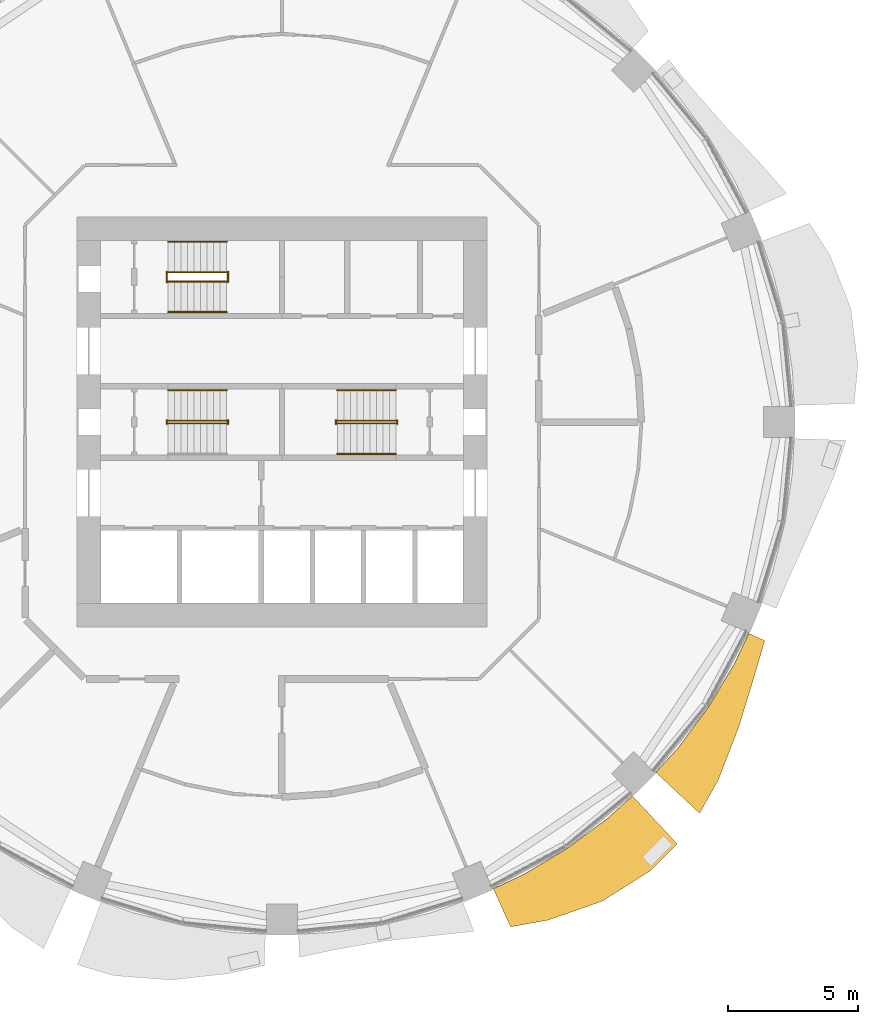
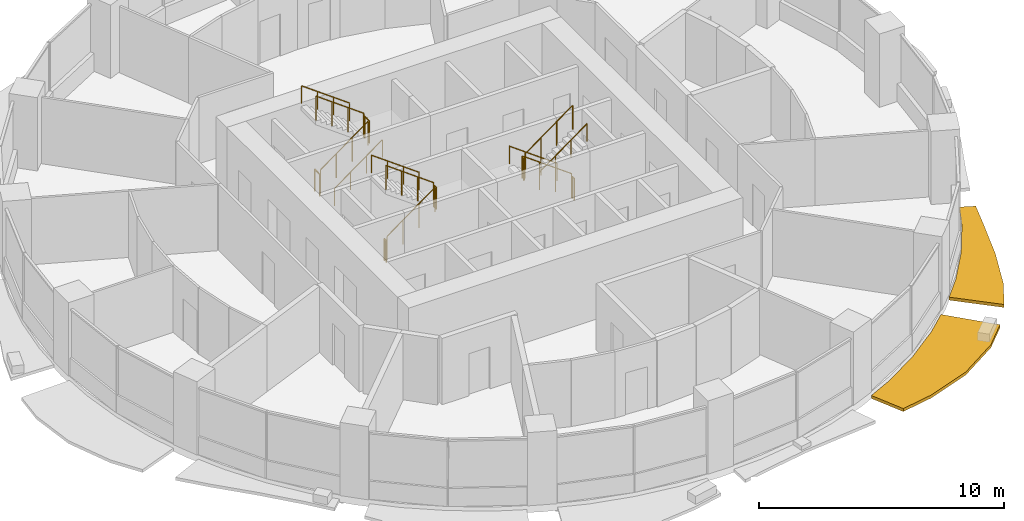
# One storey, part 13 of 15: 17 railings, 2 shading devices.
"""IFC4 building model written with IfcOpenShell, lengths in metres."""

from ifc_helpers import new_model, si_unit, direction, frame, origin, origin_2d, place, context, subcontext, project, spatial, polyline, circle, outline, extrude, material, type_object, element, save


model = new_model("IFC4")

# Units and contexts
model_context = context("Model", 3, precision=1e-05, world=origin(), true_north=direction((0.0, 1.0)))
body_context = subcontext(model_context, "Body", "Model", "MODEL_VIEW")
ifc_project = project(units=[si_unit("LENGTHUNIT", "METRE"), si_unit("AREAUNIT", "SQUARE_METRE"), si_unit("VOLUMEUNIT", "CUBIC_METRE"), si_unit("PLANEANGLEUNIT", "RADIAN"), si_unit("MASSUNIT", "GRAM", prefix="KILO")], contexts=[model_context])

# Site, building, storey
site_placement = place(None, origin())
site = spatial("IfcSite", under=ifc_project, at=site_placement, CompositionType="ELEMENT")
building_placement = place(site_placement, origin())
building = spatial("IfcBuilding", under=site, at=building_placement, Name="Polderwave Tower", CompositionType="ELEMENT")
storey_placement = place(building_placement, frame((0.0, 0.0, 44.449951171875)))
storey = spatial("IfcBuildingStorey", under=building, at=storey_placement, Name="L11", CompositionType="ELEMENT", Elevation=44.449951171875)

# Railings
ifc_material_1 = material(Name="Stainless steel", Category="steel")
railing_type_1 = type_object("IfcRailingType", Name="Stair guard 1100", PredefinedType="GUARDRAIL", material=ifc_material_1)
railing_1_placement = place(storey_placement, frame((-4.3740234375, -0.051025390625, 0.0625)))
element("IfcRailing", 1, at=railing_1_placement, inside=storey, type_object=railing_type_1, Name="L11 ST-A stair guard 1", PredefinedType="GUARDRAIL", context=body_context, shape_type="SweptSolid", body=[
    extrude(circle(Radius=0.02392578125, at=origin_2d()), frame((0.0, 0.0, 1.1962890625), z_axis=(0.807715371301, 0.0, 0.589572623995), x_axis=(0.0, 1.0, 0.0)), (0.0, 0.0, 1.0), 2.78564453125),
    extrude(circle(Radius=0.02392578125, at=origin_2d()), origin(), (0.0, 0.0, 1.0), 1.172119140625),
    extrude(circle(Radius=0.02392578125, at=origin_2d()), frame((0.75, 0.0, 0.54736328125)), (0.0, 0.0, 1.0), 1.172119140625),
    extrude(circle(Radius=0.02392578125, at=origin_2d()), frame((1.5, 0.0, 1.094970703125)), (0.0, 0.0, 1.0), 1.172119140625),
    extrude(circle(Radius=0.02392578125, at=origin_2d()), frame((2.25, 0.0, 1.642333984375)), (0.0, 0.0, 1.0), 1.172119140625),
])
railing_2_placement = place(storey_placement, frame((-2.073974609375, -0.074951171875, 1.824951171875)))
element("IfcRailing", 2, at=railing_2_placement, inside=storey, type_object=railing_type_1, Name="L11 ST-A stair guard 2", PredefinedType="GUARDRAIL", context=body_context, shape_type="SweptSolid", body=[
    extrude(circle(Radius=0.02392578125, at=origin_2d()), frame((0.0, 0.0, 1.076171875), z_axis=(0.0, 1.0, 0.0), x_axis=(-1.0, 0.0, 0.0)), (0.0, 0.0, 1.0), 0.14990234375),
    extrude(circle(Radius=0.02099609375, at=origin_2d()), origin(), (0.0, 0.0, 1.0), 1.052001953125),
    extrude(circle(Radius=0.02099609375, at=origin_2d()), frame((0.0, 0.14990234375, 0.0)), (0.0, 0.0, 1.0), 1.052001953125),
])
railing_3_placement = place(storey_placement, frame((-2.1240234375, 0.051025390625, 1.887451171875)))
element("IfcRailing", 3, at=railing_3_placement, inside=storey, type_object=railing_type_1, Name="L11 ST-A stair guard 3", PredefinedType="GUARDRAIL", context=body_context, shape_type="SweptSolid", body=[
    extrude(circle(Radius=0.02392578125, at=origin_2d()), frame((0.0, 0.0, 1.1962890625), z_axis=(-0.807673635365, 0.0, 0.58962979804), x_axis=(0.0, -1.0, 0.0)), (0.0, 0.0, 1.0), 2.785888671875),
    extrude(circle(Radius=0.02392578125, at=origin_2d()), origin(), (0.0, 0.0, 1.0), 1.172119140625),
    extrude(circle(Radius=0.02392578125, at=origin_2d()), frame((-0.75, 0.0, 0.547607421875)), (0.0, 0.0, 1.0), 1.172119140625),
    extrude(circle(Radius=0.02392578125, at=origin_2d()), frame((-1.5, 0.0, 1.094970703125)), (0.0, 0.0, 1.0), 1.172119140625),
    extrude(circle(Radius=0.02392578125, at=origin_2d()), frame((-2.25, 0.0, 1.642578125)), (0.0, 0.0, 1.0), 1.172119140625),
])
railing_4_placement = place(storey_placement, frame((-4.424072265625, -0.074951171875, 0.0)))
element("IfcRailing", 4, at=railing_4_placement, inside=storey, type_object=railing_type_1, Name="L11 ST-A stair guard 4", PredefinedType="GUARDRAIL", context=body_context, shape_type="SweptSolid", body=[
    extrude(circle(Radius=0.02392578125, at=origin_2d()), frame((0.0, 0.0, 1.076171875), z_axis=(0.0, 1.0, 0.0), x_axis=(-1.0, 0.0, 0.0)), (0.0, 0.0, 1.0), 0.14990234375),
    extrude(circle(Radius=0.02099609375, at=origin_2d()), origin(), (0.0, 0.0, 1.0), 1.052001953125),
    extrude(circle(Radius=0.02099609375, at=origin_2d()), frame((0.0, 0.14990234375, 0.0)), (0.0, 0.0, 1.0), 1.052001953125),
])
railing_5_placement = place(storey_placement, frame((4.3740234375, 0.051025390625, 0.0625)))
element("IfcRailing", 5, at=railing_5_placement, inside=storey, type_object=railing_type_1, Name="L11 ST-B stair guard 1", PredefinedType="GUARDRAIL", context=body_context, shape_type="SweptSolid", body=[
    extrude(circle(Radius=0.02392578125, at=origin_2d()), frame((0.0, 0.0, 1.1962890625), z_axis=(-0.807715371301, 0.0, 0.589572623995), x_axis=(0.0, -1.0, 0.0)), (0.0, 0.0, 1.0), 2.78564453125),
    extrude(circle(Radius=0.02392578125, at=origin_2d()), origin(), (0.0, 0.0, 1.0), 1.172119140625),
    extrude(circle(Radius=0.02392578125, at=origin_2d()), frame((-0.75, 0.0, 0.54736328125)), (0.0, 0.0, 1.0), 1.172119140625),
    extrude(circle(Radius=0.02392578125, at=origin_2d()), frame((-1.5, 0.0, 1.094970703125)), (0.0, 0.0, 1.0), 1.172119140625),
    extrude(circle(Radius=0.02392578125, at=origin_2d()), frame((-2.25, 0.0, 1.642333984375)), (0.0, 0.0, 1.0), 1.172119140625),
])
railing_6_placement = place(storey_placement, frame((2.073974609375, 0.074951171875, 1.824951171875)))
element("IfcRailing", 6, at=railing_6_placement, inside=storey, type_object=railing_type_1, Name="L11 ST-B stair guard 2", PredefinedType="GUARDRAIL", context=body_context, shape_type="SweptSolid", body=[
    extrude(circle(Radius=0.02392578125, at=origin_2d()), frame((0.0, 0.0, 1.076171875), z_axis=(0.0, -1.0, 0.0), x_axis=(1.0, 0.0, 0.0)), (0.0, 0.0, 1.0), 0.14990234375),
    extrude(circle(Radius=0.02099609375, at=origin_2d()), origin(), (0.0, 0.0, 1.0), 1.052001953125),
    extrude(circle(Radius=0.02099609375, at=origin_2d()), frame((0.0, -0.14990234375, 0.0)), (0.0, 0.0, 1.0), 1.052001953125),
])
railing_7_placement = place(storey_placement, frame((2.1240234375, -0.051025390625, 1.887451171875)))
element("IfcRailing", 7, at=railing_7_placement, inside=storey, type_object=railing_type_1, Name="L11 ST-B stair guard 3", PredefinedType="GUARDRAIL", context=body_context, shape_type="SweptSolid", body=[
    extrude(circle(Radius=0.02392578125, at=origin_2d()), frame((0.0, 0.0, 1.1962890625), z_axis=(0.807673635365, 0.0, 0.58962979804), x_axis=(0.0, 1.0, 0.0)), (0.0, 0.0, 1.0), 2.785888671875),
    extrude(circle(Radius=0.02392578125, at=origin_2d()), origin(), (0.0, 0.0, 1.0), 1.172119140625),
    extrude(circle(Radius=0.02392578125, at=origin_2d()), frame((0.75, 0.0, 0.547607421875)), (0.0, 0.0, 1.0), 1.172119140625),
    extrude(circle(Radius=0.02392578125, at=origin_2d()), frame((1.5, 0.0, 1.094970703125)), (0.0, 0.0, 1.0), 1.172119140625),
    extrude(circle(Radius=0.02392578125, at=origin_2d()), frame((2.25, 0.0, 1.642578125)), (0.0, 0.0, 1.0), 1.172119140625),
])
railing_8_placement = place(storey_placement, frame((4.424072265625, 0.074951171875, 0.0)))
element("IfcRailing", 8, at=railing_8_placement, inside=storey, type_object=railing_type_1, Name="L11 ST-B stair guard 4", PredefinedType="GUARDRAIL", context=body_context, shape_type="SweptSolid", body=[
    extrude(circle(Radius=0.02392578125, at=origin_2d()), frame((0.0, 0.0, 1.076171875), z_axis=(0.0, -1.0, 0.0), x_axis=(1.0, 0.0, 0.0)), (0.0, 0.0, 1.0), 0.14990234375),
    extrude(circle(Radius=0.02099609375, at=origin_2d()), origin(), (0.0, 0.0, 1.0), 1.052001953125),
    extrude(circle(Radius=0.02099609375, at=origin_2d()), frame((0.0, -0.14990234375, 0.0)), (0.0, 0.0, 1.0), 1.052001953125),
])
railing_9_placement = place(storey_placement, frame((-4.3740234375, 5.39794921875, 0.0625)))
element("IfcRailing", 9, at=railing_9_placement, inside=storey, type_object=railing_type_1, Name="L11 ST-C stair guard 1", PredefinedType="GUARDRAIL", context=body_context, shape_type="SweptSolid", body=[
    extrude(circle(Radius=0.02392578125, at=origin_2d()), frame((0.0, 0.0, 1.1962890625), z_axis=(0.807715371301, 0.0, 0.589572623995), x_axis=(0.0, 1.0, 0.0)), (0.0, 0.0, 1.0), 2.78564453125),
    extrude(circle(Radius=0.02392578125, at=origin_2d()), origin(), (0.0, 0.0, 1.0), 1.172119140625),
    extrude(circle(Radius=0.02392578125, at=origin_2d()), frame((0.75, 0.0, 0.54736328125)), (0.0, 0.0, 1.0), 1.172119140625),
    extrude(circle(Radius=0.02392578125, at=origin_2d()), frame((1.5, 0.0, 1.094970703125)), (0.0, 0.0, 1.0), 1.172119140625),
    extrude(circle(Radius=0.02392578125, at=origin_2d()), frame((2.25, 0.0, 1.642333984375)), (0.0, 0.0, 1.0), 1.172119140625),
])
railing_10_placement = place(storey_placement, frame((-2.073974609375, 5.3740234375, 1.824951171875)))
element("IfcRailing", 10, at=railing_10_placement, inside=storey, type_object=railing_type_1, Name="L11 ST-C stair guard 2", PredefinedType="GUARDRAIL", context=body_context, shape_type="SweptSolid", body=[
    extrude(circle(Radius=0.02392578125, at=origin_2d()), frame((0.0, 0.0, 1.076171875), z_axis=(0.0, 1.0, 0.0), x_axis=(-1.0, 0.0, 0.0)), (0.0, 0.0, 1.0), 0.39990234375),
    extrude(circle(Radius=0.02099609375, at=origin_2d()), origin(), (0.0, 0.0, 1.0), 1.052001953125),
    extrude(circle(Radius=0.02099609375, at=origin_2d()), frame((0.0, 0.39990234375, 0.0)), (0.0, 0.0, 1.0), 1.052001953125),
])
railing_11_placement = place(storey_placement, frame((-2.1240234375, 5.75, 1.887451171875)))
element("IfcRailing", 11, at=railing_11_placement, inside=storey, type_object=railing_type_1, Name="L11 ST-C stair guard 3", PredefinedType="GUARDRAIL", context=body_context, shape_type="SweptSolid", body=[
    extrude(circle(Radius=0.02392578125, at=origin_2d()), frame((0.0, 0.0, 1.1962890625), z_axis=(-0.807673635365, 0.0, 0.58962979804), x_axis=(0.0, -1.0, 0.0)), (0.0, 0.0, 1.0), 2.785888671875),
    extrude(circle(Radius=0.02392578125, at=origin_2d()), origin(), (0.0, 0.0, 1.0), 1.172119140625),
    extrude(circle(Radius=0.02392578125, at=origin_2d()), frame((-0.75, 0.0, 0.547607421875)), (0.0, 0.0, 1.0), 1.172119140625),
    extrude(circle(Radius=0.02392578125, at=origin_2d()), frame((-1.5, 0.0, 1.094970703125)), (0.0, 0.0, 1.0), 1.172119140625),
    extrude(circle(Radius=0.02392578125, at=origin_2d()), frame((-2.25, 0.0, 1.642578125)), (0.0, 0.0, 1.0), 1.172119140625),
])
railing_12_placement = place(storey_placement, frame((-4.424072265625, 5.3740234375, 0.0)))
element("IfcRailing", 12, at=railing_12_placement, inside=storey, type_object=railing_type_1, Name="L11 ST-C stair guard 4", PredefinedType="GUARDRAIL", context=body_context, shape_type="SweptSolid", body=[
    extrude(circle(Radius=0.02392578125, at=origin_2d()), frame((0.0, 0.0, 1.076171875), z_axis=(0.0, 1.0, 0.0), x_axis=(-1.0, 0.0, 0.0)), (0.0, 0.0, 1.0), 0.39990234375),
    extrude(circle(Radius=0.02099609375, at=origin_2d()), origin(), (0.0, 0.0, 1.0), 1.052001953125),
    extrude(circle(Radius=0.02099609375, at=origin_2d()), frame((0.0, 0.39990234375, 0.0)), (0.0, 0.0, 1.0), 1.052001953125),
])
railing_type_2 = type_object("IfcRailingType", Name="Stair handrail 900", PredefinedType="HANDRAIL", material=ifc_material_1)
railing_13_placement = place(storey_placement, frame((-2.1240234375, 1.22509765625, 2.007568359375)))
element("IfcRailing", 13, at=railing_13_placement, inside=storey, type_object=railing_type_2, Name="L11 ST-A stair handrail 2", PredefinedType="HANDRAIL", context=body_context, shape_type="SweptSolid", body=[
    extrude(circle(Radius=0.02392578125, at=origin_2d()), frame((0.0, 0.0, 0.8759765625), z_axis=(-0.807673635365, 0.0, 0.58962979804), x_axis=(0.0, -1.0, 0.0)), (0.0, 0.0, 1.0), 2.785888671875),
    extrude(circle(Radius=0.02099609375, at=origin_2d()), origin(), (0.0, 0.0, 1.0), 0.851806640625),
    extrude(circle(Radius=0.02099609375, at=origin_2d()), frame((-0.75, 0.0, 0.547607421875)), (0.0, 0.0, 1.0), 0.851806640625),
    extrude(circle(Radius=0.02099609375, at=origin_2d()), frame((-1.5, 0.0, 1.094970703125)), (0.0, 0.0, 1.0), 0.851806640625),
    extrude(circle(Radius=0.02099609375, at=origin_2d()), frame((-2.25, 0.0, 1.642578125)), (0.0, 0.0, 1.0), 0.851806640625),
])
railing_14_placement = place(storey_placement, frame((4.3740234375, 1.22509765625, 0.1826171875)))
element("IfcRailing", 14, at=railing_14_placement, inside=storey, type_object=railing_type_2, Name="L11 ST-B stair handrail 1", PredefinedType="HANDRAIL", context=body_context, shape_type="SweptSolid", body=[
    extrude(circle(Radius=0.02392578125, at=origin_2d()), frame((0.0, 0.0, 0.8759765625), z_axis=(-0.807715371301, 0.0, 0.589572623995), x_axis=(0.0, -1.0, 0.0)), (0.0, 0.0, 1.0), 2.78564453125),
    extrude(circle(Radius=0.02099609375, at=origin_2d()), origin(), (0.0, 0.0, 1.0), 0.851806640625),
    extrude(circle(Radius=0.02099609375, at=origin_2d()), frame((-0.75, 0.0, 0.54736328125)), (0.0, 0.0, 1.0), 0.851806640625),
    extrude(circle(Radius=0.02099609375, at=origin_2d()), frame((-1.5, 0.0, 1.094970703125)), (0.0, 0.0, 1.0), 0.851806640625),
    extrude(circle(Radius=0.02099609375, at=origin_2d()), frame((-2.25, 0.0, 1.642333984375)), (0.0, 0.0, 1.0), 0.851806640625),
])
railing_15_placement = place(storey_placement, frame((2.1240234375, -1.22509765625, 2.007568359375)))
element("IfcRailing", 15, at=railing_15_placement, inside=storey, type_object=railing_type_2, Name="L11 ST-B stair handrail 2", PredefinedType="HANDRAIL", context=body_context, shape_type="SweptSolid", body=[
    extrude(circle(Radius=0.02392578125, at=origin_2d()), frame((0.0, 0.0, 0.8759765625), z_axis=(0.807673635365, 0.0, 0.58962979804), x_axis=(0.0, 1.0, 0.0)), (0.0, 0.0, 1.0), 2.785888671875),
    extrude(circle(Radius=0.02099609375, at=origin_2d()), origin(), (0.0, 0.0, 1.0), 0.851806640625),
    extrude(circle(Radius=0.02099609375, at=origin_2d()), frame((0.75, 0.0, 0.547607421875)), (0.0, 0.0, 1.0), 0.851806640625),
    extrude(circle(Radius=0.02099609375, at=origin_2d()), frame((1.5, 0.0, 1.094970703125)), (0.0, 0.0, 1.0), 0.851806640625),
    extrude(circle(Radius=0.02099609375, at=origin_2d()), frame((2.25, 0.0, 1.642578125)), (0.0, 0.0, 1.0), 0.851806640625),
])
railing_16_placement = place(storey_placement, frame((-4.3740234375, 4.22412109375, 0.1826171875)))
element("IfcRailing", 16, at=railing_16_placement, inside=storey, type_object=railing_type_2, Name="L11 ST-C stair handrail 1", PredefinedType="HANDRAIL", context=body_context, shape_type="SweptSolid", body=[
    extrude(circle(Radius=0.02392578125, at=origin_2d()), frame((0.0, 0.0, 0.8759765625), z_axis=(0.807715371301, 0.0, 0.589572623995), x_axis=(0.0, 1.0, 0.0)), (0.0, 0.0, 1.0), 2.78564453125),
    extrude(circle(Radius=0.02099609375, at=origin_2d()), origin(), (0.0, 0.0, 1.0), 0.851806640625),
    extrude(circle(Radius=0.02099609375, at=origin_2d()), frame((0.75, 0.0, 0.54736328125)), (0.0, 0.0, 1.0), 0.851806640625),
    extrude(circle(Radius=0.02099609375, at=origin_2d()), frame((1.5, 0.0, 1.094970703125)), (0.0, 0.0, 1.0), 0.851806640625),
    extrude(circle(Radius=0.02099609375, at=origin_2d()), frame((2.25, 0.0, 1.642333984375)), (0.0, 0.0, 1.0), 0.851806640625),
])
railing_17_placement = place(storey_placement, frame((-2.1240234375, 6.924072265625, 2.007568359375)))
element("IfcRailing", 17, at=railing_17_placement, inside=storey, type_object=railing_type_2, Name="L11 ST-C stair handrail 2", PredefinedType="HANDRAIL", context=body_context, shape_type="SweptSolid", body=[
    extrude(circle(Radius=0.02392578125, at=origin_2d()), frame((0.0, 0.0, 0.8759765625), z_axis=(-0.807673635365, 0.0, 0.58962979804), x_axis=(0.0, -1.0, 0.0)), (0.0, 0.0, 1.0), 2.785888671875),
    extrude(circle(Radius=0.02099609375, at=origin_2d()), origin(), (0.0, 0.0, 1.0), 0.851806640625),
    extrude(circle(Radius=0.02099609375, at=origin_2d()), frame((-0.75, 0.0, 0.547607421875)), (0.0, 0.0, 1.0), 0.851806640625),
    extrude(circle(Radius=0.02099609375, at=origin_2d()), frame((-1.5, 0.0, 1.094970703125)), (0.0, 0.0, 1.0), 0.851806640625),
    extrude(circle(Radius=0.02099609375, at=origin_2d()), frame((-2.25, 0.0, 1.642578125)), (0.0, 0.0, 1.0), 0.851806640625),
])

# Shading devices
ifc_material_2 = material(Name="Terracotta", Category="masonry")
shading_device_type = type_object("IfcShadingDeviceType", Name="Terracotta sunshade band", PredefinedType="USERDEFINED", material=ifc_material_2)
shading_device_1_placement = place(storey_placement, frame((0.0, 0.0, -0.349853515625)))
element("IfcShadingDevice", 18, at=shading_device_1_placement, inside=storey, type_object=shading_device_type, Name="Sunshade band L11 14", ObjectType="SUNSHADE", PredefinedType="USERDEFINED", context=body_context, shape_type="SweptSolid", body=[
    extrude(outline(polyline([(8.1201171875, -17.9365234375), (9.291259765625, -17.3828125), (10.9501953125, -16.38818359375), (12.50390625, -15.236083984375), (13.4638671875, -14.365966796875), (15.187255859375, -16.204833984375), (14.1533203125, -17.245849609375), (12.303466796875, -18.413330078125), (10.22900390625, -19.13720703125), (8.781982421875, -19.399169921875), (8.1201171875, -17.9365234375)])), origin(), (0.0, 0.0, 1.0), 0.14990234375),
])
shading_device_2_placement = place(storey_placement, frame((0.0, 0.0, -0.349853515625)))
element("IfcShadingDevice", 19, at=shading_device_2_placement, inside=storey, type_object=shading_device_type, Name="Sunshade band L11 15", ObjectType="SUNSHADE", PredefinedType="USERDEFINED", context=body_context, shape_type="SweptSolid", body=[
    extrude(outline(polyline([(14.365966796875, -13.4638671875), (15.236083984375, -12.50390625), (16.38818359375, -10.9501953125), (17.3828125, -9.291259765625), (17.9365234375, -8.1201171875), (18.54931640625, -8.3974609375), (18.16552734375, -9.709716796875), (17.55029296875, -11.726806640625), (16.763427734375, -13.75732421875), (16.04638671875, -15.038818359375), (14.365966796875, -13.4638671875)])), origin(), (0.0, 0.0, 1.0), 0.14990234375),
])

save(model, "model.ifc")
